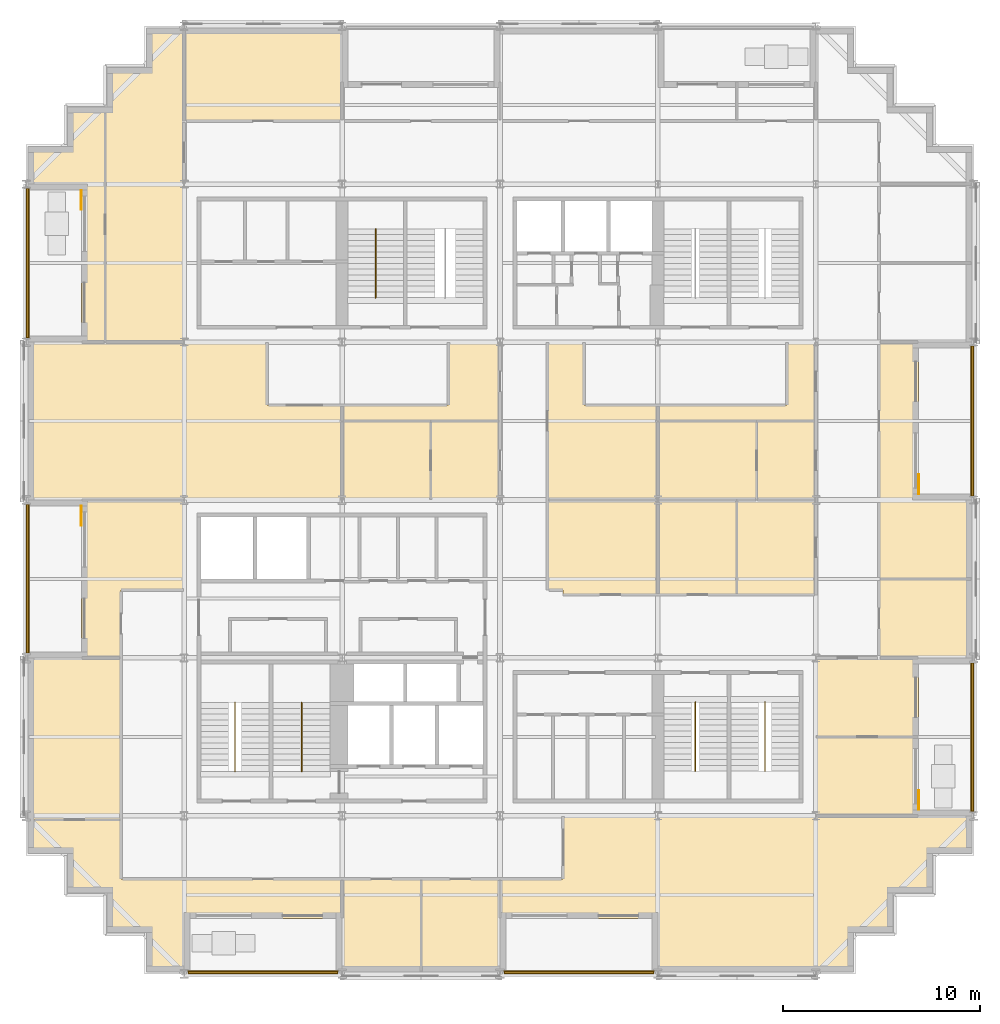
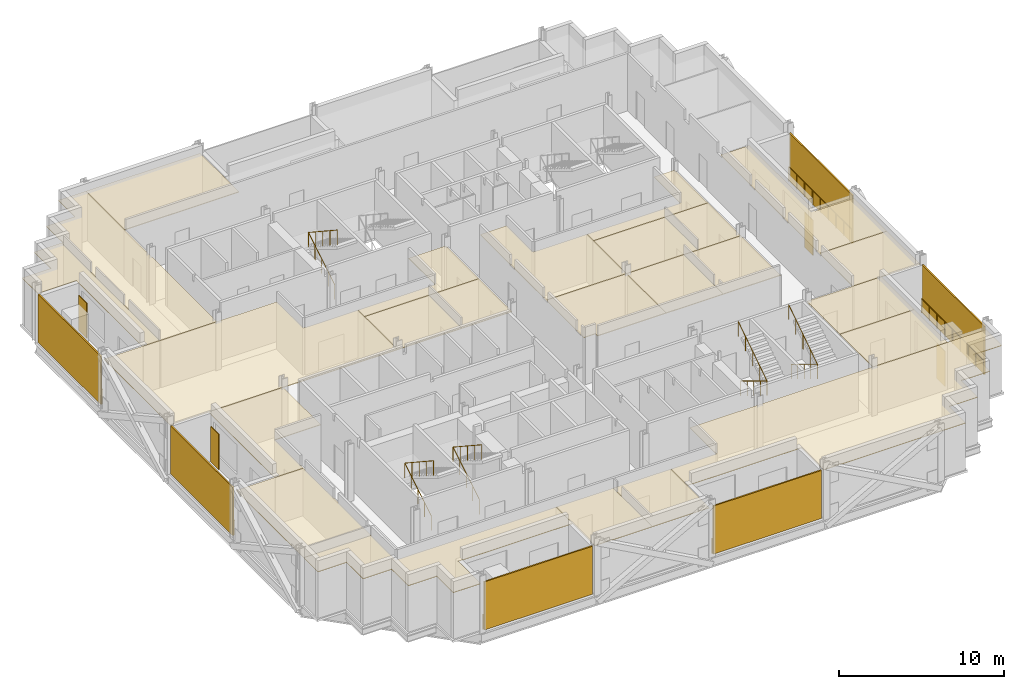
# One storey, part 13 of 15: 24 coverings, 11 railings, 10 shading devices.
"""IFC4 building model written with IfcOpenShell, lengths in metres."""

from ifc_helpers import new_model, si_unit, direction, frame, origin, origin_2d, place, context, subcontext, project, spatial, polyline, rectangle, circle, outline, extrude, material, layer, layer_set, type_object, element, save


model = new_model("IFC4")

# Units and contexts
model_context = context("Model", 3, precision=1e-05, world=origin(), true_north=direction((0.0, 1.0)))
body_context = subcontext(model_context, "Body", "Model", "MODEL_VIEW")
ifc_project = project(units=[si_unit("LENGTHUNIT", "METRE"), si_unit("AREAUNIT", "SQUARE_METRE"), si_unit("VOLUMEUNIT", "CUBIC_METRE"), si_unit("PLANEANGLEUNIT", "RADIAN"), si_unit("MASSUNIT", "GRAM", prefix="KILO")], contexts=[model_context])

# Site, building, storey
site_placement = place(None, origin())
site = spatial("IfcSite", under=ifc_project, at=site_placement, CompositionType="ELEMENT")
building_placement = place(site_placement, origin())
building = spatial("IfcBuilding", under=site, at=building_placement, Name="Immortelle Media Tower", CompositionType="ELEMENT")
storey_placement = place(building_placement, frame((0.0, 0.0, 87.60009765625)))
storey = spatial("IfcBuildingStorey", under=building, at=storey_placement, Name="L16", CompositionType="ELEMENT", Elevation=87.60009765625)

# Railings
ifc_material_1 = material(Name="Powder-coated aluminium fretwork panel, laminated glass backing", Category="aluminium")
railing_type_1 = type_object("IfcRailingType", Name="Fretwork balustrade 1100", PredefinedType="BALUSTRADE", material=ifc_material_1)
railing_1_placement = place(storey_placement, frame((0.139892578125, 39.800537109375, 0.0)))
element("IfcRailing", 1, at=railing_1_placement, inside=storey, type_object=railing_type_1, Name="Fretwork balustrade L16 W0", PredefinedType="BALUSTRADE", context=body_context, shape_type="SweptSolid", body=[
    extrude(circle(Radius=0.02490234375, at=origin_2d()), frame((0.0, 0.0, 1.0751953125), z_axis=(0.0, -1.0, 0.0), x_axis=(1.0, 0.0, 0.0)), (0.0, 0.0, 1.0), 7.58349609375),
    extrude(circle(Radius=0.02001953125, at=origin_2d()), origin(), (0.0, 0.0, 1.0), 1.050048828125),
    extrude(circle(Radius=0.02001953125, at=origin_2d()), frame((0.0, -0.947998046875, 0.0)), (0.0, 0.0, 1.0), 1.050048828125),
    extrude(circle(Radius=0.02001953125, at=origin_2d()), frame((0.0, -1.89599609375, 0.0)), (0.0, 0.0, 1.0), 1.050048828125),
    extrude(circle(Radius=0.02001953125, at=origin_2d()), frame((0.0, -2.84375, 0.0)), (0.0, 0.0, 1.0), 1.050048828125),
    extrude(circle(Radius=0.02001953125, at=origin_2d()), frame((0.0, -3.791748046875, 0.0)), (0.0, 0.0, 1.0), 1.050048828125),
    extrude(circle(Radius=0.02001953125, at=origin_2d()), frame((0.0, -4.73974609375, 0.0)), (0.0, 0.0, 1.0), 1.050048828125),
    extrude(circle(Radius=0.02001953125, at=origin_2d()), frame((0.0, -5.6875, 0.0)), (0.0, 0.0, 1.0), 1.050048828125),
    extrude(circle(Radius=0.02001953125, at=origin_2d()), frame((0.0, -6.635498046875, 0.0)), (0.0, 0.0, 1.0), 1.050048828125),
    extrude(circle(Radius=0.02001953125, at=origin_2d()), frame((0.0, -7.58349609375, 0.0)), (0.0, 0.0, 1.0), 1.050048828125),
])
railing_2_placement = place(storey_placement, frame((0.139892578125, 23.782958984375, 0.0)))
element("IfcRailing", 2, at=railing_2_placement, inside=storey, type_object=railing_type_1, Name="Fretwork balustrade L16 W2", PredefinedType="BALUSTRADE", context=body_context, shape_type="SweptSolid", body=[
    extrude(circle(Radius=0.02490234375, at=origin_2d()), frame((0.0, 0.0, 1.0751953125), z_axis=(0.0, -1.0, 0.0), x_axis=(1.0, 0.0, 0.0)), (0.0, 0.0, 1.0), 7.533935546875),
    extrude(circle(Radius=0.02001953125, at=origin_2d()), origin(), (0.0, 0.0, 1.0), 1.050048828125),
    extrude(circle(Radius=0.02001953125, at=origin_2d()), frame((0.0, -0.941650390625, 0.0)), (0.0, 0.0, 1.0), 1.050048828125),
    extrude(circle(Radius=0.02001953125, at=origin_2d()), frame((0.0, -1.883544921875, 0.0)), (0.0, 0.0, 1.0), 1.050048828125),
    extrude(circle(Radius=0.02001953125, at=origin_2d()), frame((0.0, -2.8251953125, 0.0)), (0.0, 0.0, 1.0), 1.050048828125),
    extrude(circle(Radius=0.02001953125, at=origin_2d()), frame((0.0, -3.76708984375, 0.0)), (0.0, 0.0, 1.0), 1.050048828125),
    extrude(circle(Radius=0.02001953125, at=origin_2d()), frame((0.0, -4.708740234375, 0.0)), (0.0, 0.0, 1.0), 1.050048828125),
    extrude(circle(Radius=0.02001953125, at=origin_2d()), frame((0.0, -5.650390625, 0.0)), (0.0, 0.0, 1.0), 1.050048828125),
    extrude(circle(Radius=0.02001953125, at=origin_2d()), frame((0.0, -6.59228515625, 0.0)), (0.0, 0.0, 1.0), 1.050048828125),
    extrude(circle(Radius=0.02001953125, at=origin_2d()), frame((0.0, -7.533935546875, 0.0)), (0.0, 0.0, 1.0), 1.050048828125),
])
railing_3_placement = place(storey_placement, frame((8.20947265625, 0.139892578125, 0.0)))
element("IfcRailing", 3, at=railing_3_placement, inside=storey, type_object=railing_type_1, Name="Fretwork balustrade L16 S0", PredefinedType="BALUSTRADE", context=body_context, shape_type="SweptSolid", body=[
    extrude(circle(Radius=0.02490234375, at=origin_2d()), frame((0.0, 0.0, 1.0751953125), z_axis=(1.0, 0.0, 0.0), x_axis=(0.0, 1.0, 0.0)), (0.0, 0.0, 1.0), 7.574462890625),
    extrude(circle(Radius=0.02001953125, at=origin_2d()), origin(), (0.0, 0.0, 1.0), 1.050048828125),
    extrude(circle(Radius=0.02001953125, at=origin_2d()), frame((0.94677734375, 0.0, 0.0)), (0.0, 0.0, 1.0), 1.050048828125),
    extrude(circle(Radius=0.02001953125, at=origin_2d()), frame((1.8935546875, 0.0, 0.0)), (0.0, 0.0, 1.0), 1.050048828125),
    extrude(circle(Radius=0.02001953125, at=origin_2d()), frame((2.84033203125, 0.0, 0.0)), (0.0, 0.0, 1.0), 1.050048828125),
    extrude(circle(Radius=0.02001953125, at=origin_2d()), frame((3.787109375, 0.0, 0.0)), (0.0, 0.0, 1.0), 1.050048828125),
    extrude(circle(Radius=0.02001953125, at=origin_2d()), frame((4.734130859375, 0.0, 0.0)), (0.0, 0.0, 1.0), 1.050048828125),
    extrude(circle(Radius=0.02001953125, at=origin_2d()), frame((5.680908203125, 0.0, 0.0)), (0.0, 0.0, 1.0), 1.050048828125),
    extrude(circle(Radius=0.02001953125, at=origin_2d()), frame((6.627685546875, 0.0, 0.0)), (0.0, 0.0, 1.0), 1.050048828125),
    extrude(circle(Radius=0.02001953125, at=origin_2d()), frame((7.574462890625, 0.0, 0.0)), (0.0, 0.0, 1.0), 1.050048828125),
])
railing_4_placement = place(storey_placement, frame((24.216064453125, 0.139892578125, 0.0)))
element("IfcRailing", 4, at=railing_4_placement, inside=storey, type_object=railing_type_1, Name="Fretwork balustrade L16 S2", PredefinedType="BALUSTRADE", context=body_context, shape_type="SweptSolid", body=[
    extrude(circle(Radius=0.02490234375, at=origin_2d()), frame((0.0, 0.0, 1.0751953125), z_axis=(1.0, 0.0, 0.0), x_axis=(0.0, 1.0, 0.0)), (0.0, 0.0, 1.0), 7.56787109375),
    extrude(circle(Radius=0.02001953125, at=origin_2d()), origin(), (0.0, 0.0, 1.0), 1.050048828125),
    extrude(circle(Radius=0.02001953125, at=origin_2d()), frame((0.946044921875, 0.0, 0.0)), (0.0, 0.0, 1.0), 1.050048828125),
    extrude(circle(Radius=0.02001953125, at=origin_2d()), frame((1.89208984375, 0.0, 0.0)), (0.0, 0.0, 1.0), 1.050048828125),
    extrude(circle(Radius=0.02001953125, at=origin_2d()), frame((2.837890625, 0.0, 0.0)), (0.0, 0.0, 1.0), 1.050048828125),
    extrude(circle(Radius=0.02001953125, at=origin_2d()), frame((3.783935546875, 0.0, 0.0)), (0.0, 0.0, 1.0), 1.050048828125),
    extrude(circle(Radius=0.02001953125, at=origin_2d()), frame((4.72998046875, 0.0, 0.0)), (0.0, 0.0, 1.0), 1.050048828125),
    extrude(circle(Radius=0.02001953125, at=origin_2d()), frame((5.67578125, 0.0, 0.0)), (0.0, 0.0, 1.0), 1.050048828125),
    extrude(circle(Radius=0.02001953125, at=origin_2d()), frame((6.621826171875, 0.0, 0.0)), (0.0, 0.0, 1.0), 1.050048828125),
    extrude(circle(Radius=0.02001953125, at=origin_2d()), frame((7.56787109375, 0.0, 0.0)), (0.0, 0.0, 1.0), 1.050048828125),
])
railing_5_placement = place(storey_placement, frame((47.860107421875, 8.2275390625, 0.0)))
element("IfcRailing", 5, at=railing_5_placement, inside=storey, type_object=railing_type_1, Name="Fretwork balustrade L16 E0", PredefinedType="BALUSTRADE", context=body_context, shape_type="SweptSolid", body=[
    extrude(circle(Radius=0.02490234375, at=origin_2d()), frame((0.0, 0.0, 1.0751953125), z_axis=(0.0, 1.0, 0.0), x_axis=(-1.0, 0.0, 0.0)), (0.0, 0.0, 1.0), 7.5234375),
    extrude(circle(Radius=0.02001953125, at=origin_2d()), origin(), (0.0, 0.0, 1.0), 1.050048828125),
    extrude(circle(Radius=0.02001953125, at=origin_2d()), frame((0.0, 0.9404296875, 0.0)), (0.0, 0.0, 1.0), 1.050048828125),
    extrude(circle(Radius=0.02001953125, at=origin_2d()), frame((0.0, 1.880859375, 0.0)), (0.0, 0.0, 1.0), 1.050048828125),
    extrude(circle(Radius=0.02001953125, at=origin_2d()), frame((0.0, 2.8212890625, 0.0)), (0.0, 0.0, 1.0), 1.050048828125),
    extrude(circle(Radius=0.02001953125, at=origin_2d()), frame((0.0, 3.76171875, 0.0)), (0.0, 0.0, 1.0), 1.050048828125),
    extrude(circle(Radius=0.02001953125, at=origin_2d()), frame((0.0, 4.7021484375, 0.0)), (0.0, 0.0, 1.0), 1.050048828125),
    extrude(circle(Radius=0.02001953125, at=origin_2d()), frame((0.0, 5.642578125, 0.0)), (0.0, 0.0, 1.0), 1.050048828125),
    extrude(circle(Radius=0.02001953125, at=origin_2d()), frame((0.0, 6.5830078125, 0.0)), (0.0, 0.0, 1.0), 1.050048828125),
    extrude(circle(Radius=0.02001953125, at=origin_2d()), frame((0.0, 7.5234375, 0.0)), (0.0, 0.0, 1.0), 1.050048828125),
])
railing_6_placement = place(storey_placement, frame((47.860107421875, 24.193115234375, 0.0)))
element("IfcRailing", 6, at=railing_6_placement, inside=storey, type_object=railing_type_1, Name="Fretwork balustrade L16 E2", PredefinedType="BALUSTRADE", context=body_context, shape_type="SweptSolid", body=[
    extrude(circle(Radius=0.02490234375, at=origin_2d()), frame((0.0, 0.0, 1.0751953125), z_axis=(0.0, 1.0, 0.0), x_axis=(-1.0, 0.0, 0.0)), (0.0, 0.0, 1.0), 7.61376953125),
    extrude(circle(Radius=0.02001953125, at=origin_2d()), origin(), (0.0, 0.0, 1.0), 1.050048828125),
    extrude(circle(Radius=0.02001953125, at=origin_2d()), frame((0.0, 0.95166015625, 0.0)), (0.0, 0.0, 1.0), 1.050048828125),
    extrude(circle(Radius=0.02001953125, at=origin_2d()), frame((0.0, 1.9033203125, 0.0)), (0.0, 0.0, 1.0), 1.050048828125),
    extrude(circle(Radius=0.02001953125, at=origin_2d()), frame((0.0, 2.855224609375, 0.0)), (0.0, 0.0, 1.0), 1.050048828125),
    extrude(circle(Radius=0.02001953125, at=origin_2d()), frame((0.0, 3.806884765625, 0.0)), (0.0, 0.0, 1.0), 1.050048828125),
    extrude(circle(Radius=0.02001953125, at=origin_2d()), frame((0.0, 4.758544921875, 0.0)), (0.0, 0.0, 1.0), 1.050048828125),
    extrude(circle(Radius=0.02001953125, at=origin_2d()), frame((0.0, 5.71044921875, 0.0)), (0.0, 0.0, 1.0), 1.050048828125),
    extrude(circle(Radius=0.02001953125, at=origin_2d()), frame((0.0, 6.662109375, 0.0)), (0.0, 0.0, 1.0), 1.050048828125),
    extrude(circle(Radius=0.02001953125, at=origin_2d()), frame((0.0, 7.61376953125, 0.0)), (0.0, 0.0, 1.0), 1.050048828125),
])

# Shading devices
ifc_material_2 = material(Name="Pale aluminium louvre blades", Category="aluminium")
ifc_layer_1 = layer(ifc_material_2, 0.10009765625)
ifc_layer_set_1 = layer_set([ifc_layer_1], Name="Pale aluminium louvre blades")
shading_device_type_1 = type_object("IfcShadingDeviceType", Name="Jalousie screen 100", PredefinedType="JALOUSIE", material=ifc_layer_set_1)
shading_device_1_placement = place(storey_placement, frame((0.050048828125, 36.0087890625, 0.0), z_axis=(0.0, 0.0, 1.0), x_axis=(0.0, -1.0, 0.0)))
element("IfcShadingDevice", 7, at=shading_device_1_placement, inside=storey, type_object=shading_device_type_1, Name="Jalousie screen L16 W0", PredefinedType="JALOUSIE", context=body_context, shape_type="SweptSolid", body=[
    extrude(rectangle(XDim=7.58349609375, YDim=0.10009765625, at=origin_2d()), origin(), (0.0, 0.0, 1.0), 3.556884765625),
])
shading_device_2_placement = place(storey_placement, frame((0.050048828125, 20.01611328125, 0.0), z_axis=(0.0, 0.0, 1.0), x_axis=(0.0, -1.0, 0.0)))
element("IfcShadingDevice", 8, at=shading_device_2_placement, inside=storey, type_object=shading_device_type_1, Name="Jalousie screen L16 W2", PredefinedType="JALOUSIE", context=body_context, shape_type="SweptSolid", body=[
    extrude(rectangle(XDim=7.533935546875, YDim=0.10009765625, at=origin_2d()), origin(), (0.0, 0.0, 1.0), 3.556884765625),
])
shading_device_3_placement = place(storey_placement, frame((11.996826171875, 0.050048828125, 0.0), z_axis=(0.0, 0.0, 1.0), x_axis=(1.0, 0.0, 0.0)))
element("IfcShadingDevice", 9, at=shading_device_3_placement, inside=storey, type_object=shading_device_type_1, Name="Jalousie screen L16 S0", PredefinedType="JALOUSIE", context=body_context, shape_type="SweptSolid", body=[
    extrude(rectangle(XDim=7.574462890625, YDim=0.10009765625, at=origin_2d()), origin(), (0.0, 0.0, 1.0), 3.556884765625),
])
shading_device_4_placement = place(storey_placement, frame((28.0, 0.050048828125, 0.0), z_axis=(0.0, 0.0, 1.0), x_axis=(1.0, 0.0, 0.0)))
element("IfcShadingDevice", 10, at=shading_device_4_placement, inside=storey, type_object=shading_device_type_1, Name="Jalousie screen L16 S2", PredefinedType="JALOUSIE", context=body_context, shape_type="SweptSolid", body=[
    extrude(rectangle(XDim=7.568115234375, YDim=0.10009765625, at=origin_2d()), origin(), (0.0, 0.0, 1.0), 3.556884765625),
])
shading_device_5_placement = place(storey_placement, frame((47.949951171875, 11.9892578125, 0.0), z_axis=(0.0, 0.0, 1.0), x_axis=(0.0, 1.0, 0.0)))
element("IfcShadingDevice", 11, at=shading_device_5_placement, inside=storey, type_object=shading_device_type_1, Name="Jalousie screen L16 E0", PredefinedType="JALOUSIE", context=body_context, shape_type="SweptSolid", body=[
    extrude(rectangle(XDim=7.5234375, YDim=0.10009765625, at=origin_2d()), origin(), (0.0, 0.0, 1.0), 3.556884765625),
])
shading_device_6_placement = place(storey_placement, frame((47.949951171875, 28.0, 0.0), z_axis=(0.0, 0.0, 1.0), x_axis=(0.0, 1.0, 0.0)))
element("IfcShadingDevice", 12, at=shading_device_6_placement, inside=storey, type_object=shading_device_type_1, Name="Jalousie screen L16 E2", PredefinedType="JALOUSIE", context=body_context, shape_type="SweptSolid", body=[
    extrude(rectangle(XDim=7.614013671875, YDim=0.10009765625, at=origin_2d()), origin(), (0.0, 0.0, 1.0), 3.556884765625),
])
ifc_material_3 = material(Name="Pale aluminium louvre blades in a folding frame", Category="aluminium")
ifc_layer_2 = layer(ifc_material_3, 0.050048828125)
ifc_layer_set_2 = layer_set([ifc_layer_2], Name="Pale aluminium louvre blades in a folding frame")
shading_device_type_2 = type_object("IfcShadingDeviceType", Name="Louvred loggia shutter", PredefinedType="SHUTTER", material=ifc_layer_set_2)
for number, where, z_axis, x_axis, name in (
    (13, (2.77490234375, 39.199951171875, -0.000244140625), (0.0, 0.0, 1.0), (0.0, -1.0, 0.0), "Loggia shutter L16 W0"),
    (14, (2.77490234375, 23.199951171875, -0.000244140625), (0.0, 0.0, 1.0), (0.0, -1.0, 0.0), "Loggia shutter L16 W2"),
    (15, (45.22509765625, 8.800048828125, -0.000244140625), (0.0, 0.0, 1.0), (0.0, 1.0, 0.0), "Loggia shutter L16 E0"),
    (16, (45.22509765625, 24.800048828125, -0.000244140625), (0.0, 0.0, 1.0), (0.0, 1.0, 0.0), "Loggia shutter L16 E2"),
):
    element("IfcShadingDevice", number, at=place(storey_placement, frame(where, z_axis=z_axis, x_axis=x_axis)), inside=storey, type_object=shading_device_type_2, Name=name, PredefinedType="SHUTTER", context=body_context, shape_type="SweptSolid", body=[
        extrude(rectangle(XDim=1.0, YDim=0.050048828125, at=origin_2d()), origin(), (0.0, 0.0, 1.0), 2.60009765625),
    ])

# Railings
ifc_material_4 = material(Name="Stainless steel AISI 316", Category="steel")
railing_type_2 = type_object("IfcRailingType", Name="Stair guard 1100", PredefinedType="GUARDRAIL", material=ifc_material_4)
for number, where, name in (
    (17, (10.574951171875, 10.5400390625, 0.17578125), "Stair guard SW1"),
    (18, (13.949951171875, 10.5400390625, 0.17578125), "Stair guard SW2"),
):
    element("IfcRailing", number, at=place(storey_placement, frame(where)), inside=storey, type_object=railing_type_2, Name=name, PredefinedType="GUARDRAIL", context=body_context, shape_type="SweptSolid", body=[
        extrude(circle(Radius=0.02392578125, at=origin_2d()), frame((0.0, 0.0, 1.076171875), z_axis=(0.0, 0.854872504309, 0.518838126371), x_axis=(-1.0, 0.0, 0.0)), (0.0, 0.0, 1.0), 3.7314453125),
        extrude(circle(Radius=0.02392578125, at=origin_2d()), frame((0.0, 3.18994140625, 3.01220703125), z_axis=(0.0, -0.835568629342, 0.549386080693), x_axis=(1.0, 0.0, 0.0)), (0.0, 0.0, 1.0), 4.164794921875),
        extrude(circle(Radius=0.02099609375, at=origin_2d()), origin(), (0.0, 0.0, 1.0), 1.052001953125),
        extrude(circle(Radius=0.02099609375, at=origin_2d()), frame((0.0, 0.79736328125, 0.48388671875)), (0.0, 0.0, 1.0), 1.052001953125),
        extrude(circle(Radius=0.02099609375, at=origin_2d()), frame((0.0, 1.594970703125, 0.968017578125)), (0.0, 0.0, 1.0), 1.052001953125),
        extrude(circle(Radius=0.02099609375, at=origin_2d()), frame((0.0, 2.392578125, 1.4521484375)), (0.0, 0.0, 1.0), 1.052001953125),
        extrude(circle(Radius=0.02099609375, at=origin_2d()), frame((0.0, 3.18994140625, 1.93603515625)), (0.0, 0.0, 1.0), 1.052001953125),
        extrude(circle(Radius=0.02099609375, at=origin_2d()), frame((0.0, 2.31982421875, 2.508056640625)), (0.0, 0.0, 1.0), 1.052001953125),
        extrude(circle(Radius=0.02099609375, at=origin_2d()), frame((0.0, 1.449951171875, 3.080078125)), (0.0, 0.0, 1.0), 1.052001953125),
        extrude(circle(Radius=0.02099609375, at=origin_2d()), frame((0.0, 0.580078125, 3.652099609375)), (0.0, 0.0, 1.0), 1.052001953125),
        extrude(circle(Radius=0.02099609375, at=origin_2d()), frame((0.0, -0.2900390625, 4.22412109375)), (0.0, 0.0, 1.0), 1.052001953125),
    ])
for number, where, name in (
    (19, (33.89990234375, 13.4599609375, 0.17578125), "Stair guard SE1"),
    (20, (37.425048828125, 13.4599609375, 0.17578125), "Stair guard SE2"),
):
    element("IfcRailing", number, at=place(storey_placement, frame(where)), inside=storey, type_object=railing_type_2, Name=name, PredefinedType="GUARDRAIL", context=body_context, shape_type="SweptSolid", body=[
        extrude(circle(Radius=0.02392578125, at=origin_2d()), frame((0.0, 0.0, 1.076171875), z_axis=(0.0, -0.854872504309, 0.518838126371), x_axis=(1.0, 0.0, 0.0)), (0.0, 0.0, 1.0), 3.7314453125),
        extrude(circle(Radius=0.02392578125, at=origin_2d()), frame((0.0, -3.18994140625, 3.01220703125), z_axis=(0.0, 0.835568629342, 0.549386080693), x_axis=(-1.0, 0.0, 0.0)), (0.0, 0.0, 1.0), 4.164794921875),
        extrude(circle(Radius=0.02099609375, at=origin_2d()), origin(), (0.0, 0.0, 1.0), 1.052001953125),
        extrude(circle(Radius=0.02099609375, at=origin_2d()), frame((0.0, -0.79736328125, 0.48388671875)), (0.0, 0.0, 1.0), 1.052001953125),
        extrude(circle(Radius=0.02099609375, at=origin_2d()), frame((0.0, -1.594970703125, 0.968017578125)), (0.0, 0.0, 1.0), 1.052001953125),
        extrude(circle(Radius=0.02099609375, at=origin_2d()), frame((0.0, -2.392578125, 1.4521484375)), (0.0, 0.0, 1.0), 1.052001953125),
        extrude(circle(Radius=0.02099609375, at=origin_2d()), frame((0.0, -3.18994140625, 1.93603515625)), (0.0, 0.0, 1.0), 1.052001953125),
        extrude(circle(Radius=0.02099609375, at=origin_2d()), frame((0.0, -2.31982421875, 2.508056640625)), (0.0, 0.0, 1.0), 1.052001953125),
        extrude(circle(Radius=0.02099609375, at=origin_2d()), frame((0.0, -1.449951171875, 3.080078125)), (0.0, 0.0, 1.0), 1.052001953125),
        extrude(circle(Radius=0.02099609375, at=origin_2d()), frame((0.0, -0.580078125, 3.652099609375)), (0.0, 0.0, 1.0), 1.052001953125),
        extrude(circle(Radius=0.02099609375, at=origin_2d()), frame((0.0, 0.2900390625, 4.22412109375)), (0.0, 0.0, 1.0), 1.052001953125),
    ])
railing_7_placement = place(storey_placement, frame((17.699951171875, 34.5400390625, 0.17578125)))
element("IfcRailing", 21, at=railing_7_placement, inside=storey, type_object=railing_type_2, Name="Stair guard NW1", PredefinedType="GUARDRAIL", context=body_context, shape_type="SweptSolid", body=[
    extrude(circle(Radius=0.02392578125, at=origin_2d()), frame((0.0, 0.0, 1.076171875), z_axis=(0.0, 0.854872504309, 0.518838126371), x_axis=(-1.0, 0.0, 0.0)), (0.0, 0.0, 1.0), 3.7314453125),
    extrude(circle(Radius=0.02392578125, at=origin_2d()), frame((0.0, 3.18994140625, 3.01220703125), z_axis=(0.0, -0.835568629342, 0.549386080693), x_axis=(1.0, 0.0, 0.0)), (0.0, 0.0, 1.0), 4.164794921875),
    extrude(circle(Radius=0.02099609375, at=origin_2d()), origin(), (0.0, 0.0, 1.0), 1.052001953125),
    extrude(circle(Radius=0.02099609375, at=origin_2d()), frame((0.0, 0.79736328125, 0.48388671875)), (0.0, 0.0, 1.0), 1.052001953125),
    extrude(circle(Radius=0.02099609375, at=origin_2d()), frame((0.0, 1.594970703125, 0.968017578125)), (0.0, 0.0, 1.0), 1.052001953125),
    extrude(circle(Radius=0.02099609375, at=origin_2d()), frame((0.0, 2.392578125, 1.4521484375)), (0.0, 0.0, 1.0), 1.052001953125),
    extrude(circle(Radius=0.02099609375, at=origin_2d()), frame((0.0, 3.18994140625, 1.93603515625)), (0.0, 0.0, 1.0), 1.052001953125),
    extrude(circle(Radius=0.02099609375, at=origin_2d()), frame((0.0, 2.31982421875, 2.508056640625)), (0.0, 0.0, 1.0), 1.052001953125),
    extrude(circle(Radius=0.02099609375, at=origin_2d()), frame((0.0, 1.449951171875, 3.080078125)), (0.0, 0.0, 1.0), 1.052001953125),
    extrude(circle(Radius=0.02099609375, at=origin_2d()), frame((0.0, 0.580078125, 3.652099609375)), (0.0, 0.0, 1.0), 1.052001953125),
    extrude(circle(Radius=0.02099609375, at=origin_2d()), frame((0.0, -0.2900390625, 4.22412109375)), (0.0, 0.0, 1.0), 1.052001953125),
])

# Coverings
ifc_material_5 = material(Name="Mineral fibre tile ceiling")
ifc_layer_3 = layer(ifc_material_5, 0.050048828125)
ifc_layer_set_3 = layer_set([ifc_layer_3], Name="Mineral fibre tile ceiling")
covering_type = type_object("IfcCoveringType", Name="Suspended ceiling 50", PredefinedType="CEILING", material=ifc_layer_set_3)
covering_1_placement = place(storey_placement, frame((0.0, 0.0, 3.419921875)))
element("IfcCovering", 22, at=covering_1_placement, inside=storey, type_object=covering_type, Name="Ceiling L16-001", PredefinedType="CEILING", context=body_context, shape_type="SweptSolid", body=[
    extrude(outline(polyline([(16.0, 2.800048828125), (16.0, 4.800048828125), (20.0, 4.800048828125), (20.0, 0.10009765625), (16.0, 0.10009765625), (16.0, 2.800048828125)])), origin(), (0.0, 0.0, 1.0), 0.050048828125),
])
covering_2_placement = place(storey_placement, frame((0.0, 0.0, 3.419921875)))
element("IfcCovering", 23, at=covering_2_placement, inside=storey, type_object=covering_type, Name="Ceiling L16-002", PredefinedType="CEILING", context=body_context, shape_type="SweptSolid", body=[
    extrude(outline(polyline([(24.0, 4.800048828125), (24.0, 2.800048828125), (24.0, 0.10009765625), (20.0, 0.10009765625), (20.0, 4.800048828125), (24.0, 4.800048828125)])), origin(), (0.0, 0.0, 1.0), 0.050048828125),
])
covering_3_placement = place(storey_placement, frame((0.0, 0.0, 3.419921875)))
element("IfcCovering", 24, at=covering_3_placement, inside=storey, type_object=covering_type, Name="Ceiling L16-003", PredefinedType="CEILING", context=body_context, shape_type="SweptSolid", body=[
    extrude(outline(polyline([(24.0, 2.800048828125), (24.0, 4.800048828125), (27.199951171875, 4.800048828125), (27.199951171875, 8.0), (32.0, 8.0), (40.0, 8.0), (45.199951171875, 8.0), (47.89990234375, 8.0), (47.89990234375, 6.10009765625), (45.89990234375, 6.10009765625), (45.89990234375, 4.10009765625), (43.89990234375, 4.10009765625), (43.89990234375, 2.10009765625), (41.89990234375, 2.10009765625), (41.89990234375, 0.10009765625), (40.0, 0.10009765625), (32.0, 0.10009765625), (32.0, 2.800048828125), (24.0, 2.800048828125)])), origin(), (0.0, 0.0, 1.0), 0.050048828125),
])
covering_4_placement = place(storey_placement, frame((0.0, 0.0, 3.419921875)))
element("IfcCovering", 25, at=covering_4_placement, inside=storey, type_object=covering_type, Name="Ceiling L16-004", PredefinedType="CEILING", context=body_context, shape_type="SweptSolid", body=[
    extrude(outline(polyline([(8.0, 2.800048828125), (8.0, 0.10009765625), (6.10009765625, 0.10009765625), (6.10009765625, 2.10009765625), (4.10009765625, 2.10009765625), (4.10009765625, 4.10009765625), (2.10009765625, 4.10009765625), (2.10009765625, 6.10009765625), (0.10009765625, 6.10009765625), (0.10009765625, 7.800048828125), (4.800048828125, 7.800048828125), (4.800048828125, 4.800048828125), (8.0, 4.800048828125), (16.0, 4.800048828125), (16.0, 2.800048828125), (8.0, 2.800048828125)])), origin(), (0.0, 0.0, 1.0), 0.050048828125),
])
covering_5_placement = place(storey_placement, frame((0.0, 0.0, 3.419921875)))
element("IfcCovering", 26, at=covering_5_placement, inside=storey, type_object=covering_type, Name="Ceiling L16-005", PredefinedType="CEILING", context=body_context, shape_type="SweptSolid", body=[
    extrude(outline(polyline([(0.10009765625, 8.0), (0.10009765625, 16.0), (2.800048828125, 16.0), (4.800048828125, 16.0), (4.800048828125, 8.0), (4.800048828125, 7.800048828125), (0.10009765625, 7.800048828125), (0.10009765625, 8.0)])), origin(), (0.0, 0.0, 1.0), 0.050048828125),
])
covering_6_placement = place(storey_placement, frame((0.0, 0.0, 3.419921875)))
element("IfcCovering", 27, at=covering_6_placement, inside=storey, type_object=covering_type, Name="Ceiling L16-006", PredefinedType="CEILING", context=body_context, shape_type="SweptSolid", body=[
    extrude(outline(polyline([(40.0, 16.0), (43.199951171875, 16.0), (45.199951171875, 16.0), (45.199951171875, 12.0), (40.0, 12.0), (40.0, 16.0)])), origin(), (0.0, 0.0, 1.0), 0.050048828125),
])
covering_7_placement = place(storey_placement, frame((0.0, 0.0, 3.419921875)))
element("IfcCovering", 28, at=covering_7_placement, inside=storey, type_object=covering_type, Name="Ceiling L16-007", PredefinedType="CEILING", context=body_context, shape_type="SweptSolid", body=[
    extrude(outline(polyline([(40.0, 8.0), (40.0, 12.0), (45.199951171875, 12.0), (45.199951171875, 8.0), (40.0, 8.0)])), origin(), (0.0, 0.0, 1.0), 0.050048828125),
])
covering_8_placement = place(storey_placement, frame((0.0, 0.0, 3.419921875)))
element("IfcCovering", 29, at=covering_8_placement, inside=storey, type_object=covering_type, Name="Ceiling L16-008", PredefinedType="CEILING", context=body_context, shape_type="SweptSolid", body=[
    extrude(outline(polyline([(2.800048828125, 16.0), (2.800048828125, 20.0), (2.800048828125, 24.0), (8.0, 24.0), (8.0, 20.0), (8.0, 19.449951171875), (4.800048828125, 19.449951171875), (4.800048828125, 16.0), (2.800048828125, 16.0)])), origin(), (0.0, 0.0, 1.0), 0.050048828125),
])
covering_9_placement = place(storey_placement, frame((0.0, 0.0, 3.419921875)))
element("IfcCovering", 30, at=covering_9_placement, inside=storey, type_object=covering_type, Name="Ceiling L16-009", PredefinedType="CEILING", context=body_context, shape_type="SweptSolid", body=[
    extrude(outline(polyline([(32.0, 19.199951171875), (27.199951171875, 19.199951171875), (27.199951171875, 19.449951171875), (26.39990234375, 19.449951171875), (26.39990234375, 24.0), (32.0, 24.0), (32.0, 19.199951171875)])), origin(), (0.0, 0.0, 1.0), 0.050048828125),
])
covering_10_placement = place(storey_placement, frame((0.0, 0.0, 3.419921875)))
element("IfcCovering", 31, at=covering_10_placement, inside=storey, type_object=covering_type, Name="Ceiling L16-010", PredefinedType="CEILING", context=body_context, shape_type="SweptSolid", body=[
    extrude(outline(polyline([(32.0, 19.199951171875), (32.0, 24.0), (36.0, 24.0), (36.0, 19.199951171875), (32.0, 19.199951171875)])), origin(), (0.0, 0.0, 1.0), 0.050048828125),
])
covering_11_placement = place(storey_placement, frame((0.0, 0.0, 3.419921875)))
element("IfcCovering", 32, at=covering_11_placement, inside=storey, type_object=covering_type, Name="Ceiling L16-011", PredefinedType="CEILING", context=body_context, shape_type="SweptSolid", body=[
    extrude(outline(polyline([(36.0, 19.199951171875), (36.0, 24.0), (40.0, 24.0), (40.0, 19.199951171875), (38.550048828125, 19.199951171875), (36.0, 19.199951171875)])), origin(), (0.0, 0.0, 1.0), 0.050048828125),
])
covering_12_placement = place(storey_placement, frame((0.0, 0.0, 3.419921875)))
element("IfcCovering", 33, at=covering_12_placement, inside=storey, type_object=covering_type, Name="Ceiling L16-012", PredefinedType="CEILING", context=body_context, shape_type="SweptSolid", body=[
    extrude(outline(polyline([(43.199951171875, 20.0), (47.89990234375, 20.0), (47.89990234375, 16.0), (45.199951171875, 16.0), (43.199951171875, 16.0), (43.199951171875, 20.0)])), origin(), (0.0, 0.0, 1.0), 0.050048828125),
])
covering_13_placement = place(storey_placement, frame((0.0, 0.0, 3.419921875)))
element("IfcCovering", 34, at=covering_13_placement, inside=storey, type_object=covering_type, Name="Ceiling L16-013", PredefinedType="CEILING", context=body_context, shape_type="SweptSolid", body=[
    extrude(outline(polyline([(43.199951171875, 24.0), (43.199951171875, 32.0), (45.199951171875, 32.0), (45.199951171875, 24.0), (47.89990234375, 24.0), (47.89990234375, 20.0), (43.199951171875, 20.0), (43.199951171875, 24.0)])), origin(), (0.0, 0.0, 1.0), 0.050048828125),
])
covering_14_placement = place(storey_placement, frame((0.0, 0.0, 3.419921875)))
element("IfcCovering", 35, at=covering_14_placement, inside=storey, type_object=covering_type, Name="Ceiling L16-014", PredefinedType="CEILING", context=body_context, shape_type="SweptSolid", body=[
    extrude(outline(polyline([(40.0, 28.0), (40.0, 24.0), (37.0, 24.0), (37.0, 28.0), (40.0, 28.0)])), origin(), (0.0, 0.0, 1.0), 0.050048828125),
])
covering_15_placement = place(storey_placement, frame((0.0, 0.0, 3.419921875)))
element("IfcCovering", 36, at=covering_15_placement, inside=storey, type_object=covering_type, Name="Ceiling L16-015", PredefinedType="CEILING", context=body_context, shape_type="SweptSolid", body=[
    extrude(outline(polyline([(37.0, 28.0), (37.0, 24.0), (32.0, 24.0), (32.0, 28.0), (37.0, 28.0)])), origin(), (0.0, 0.0, 1.0), 0.050048828125),
])
covering_16_placement = place(storey_placement, frame((0.0, 0.0, 3.419921875)))
element("IfcCovering", 37, at=covering_16_placement, inside=storey, type_object=covering_type, Name="Ceiling L16-016", PredefinedType="CEILING", context=body_context, shape_type="SweptSolid", body=[
    extrude(outline(polyline([(32.0, 28.800048828125), (38.550048828125, 28.800048828125), (38.550048828125, 32.0), (40.0, 32.0), (40.0, 28.0), (32.0, 28.0), (32.0, 28.800048828125)])), origin(), (0.0, 0.0, 1.0), 0.050048828125),
])
covering_17_placement = place(storey_placement, frame((0.0, 0.0, 3.419921875)))
element("IfcCovering", 38, at=covering_17_placement, inside=storey, type_object=covering_type, Name="Ceiling L16-017", PredefinedType="CEILING", context=body_context, shape_type="SweptSolid", body=[
    extrude(outline(polyline([(24.0, 28.0), (24.0, 24.0), (20.5, 24.0), (20.5, 28.0), (24.0, 28.0)])), origin(), (0.0, 0.0, 1.0), 0.050048828125),
])
covering_18_placement = place(storey_placement, frame((0.0, 0.0, 3.419921875)))
element("IfcCovering", 39, at=covering_18_placement, inside=storey, type_object=covering_type, Name="Ceiling L16-018", PredefinedType="CEILING", context=body_context, shape_type="SweptSolid", body=[
    extrude(outline(polyline([(20.5, 28.0), (20.5, 24.0), (16.0, 24.0), (16.0, 28.0), (20.5, 28.0)])), origin(), (0.0, 0.0, 1.0), 0.050048828125),
])
covering_19_placement = place(storey_placement, frame((0.0, 0.0, 3.419921875)))
element("IfcCovering", 40, at=covering_19_placement, inside=storey, type_object=covering_type, Name="Ceiling L16-019", PredefinedType="CEILING", context=body_context, shape_type="SweptSolid", body=[
    extrude(outline(polyline([(16.0, 28.800048828125), (21.39990234375, 28.800048828125), (21.39990234375, 32.0), (24.0, 32.0), (24.0, 28.0), (16.0, 28.0), (16.0, 28.800048828125)])), origin(), (0.0, 0.0, 1.0), 0.050048828125),
])
covering_20_placement = place(storey_placement, frame((0.0, 0.0, 3.419921875)))
element("IfcCovering", 41, at=covering_20_placement, inside=storey, type_object=covering_type, Name="Ceiling L16-020", PredefinedType="CEILING", context=body_context, shape_type="SweptSolid", body=[
    extrude(outline(polyline([(26.39990234375, 24.0), (26.39990234375, 32.0), (28.25, 32.0), (28.25, 28.800048828125), (32.0, 28.800048828125), (32.0, 24.0), (26.39990234375, 24.0)])), origin(), (0.0, 0.0, 1.0), 0.050048828125),
])
covering_21_placement = place(storey_placement, frame((0.0, 0.0, 3.419921875)))
element("IfcCovering", 42, at=covering_21_placement, inside=storey, type_object=covering_type, Name="Ceiling L16-021", PredefinedType="CEILING", context=body_context, shape_type="SweptSolid", body=[
    extrude(outline(polyline([(0.10009765625, 24.0), (0.10009765625, 32.0), (2.800048828125, 32.0), (8.0, 32.0), (12.199951171875, 32.0), (12.199951171875, 28.800048828125), (16.0, 28.800048828125), (16.0, 24.0), (8.0, 24.0), (2.800048828125, 24.0), (0.10009765625, 24.0)])), origin(), (0.0, 0.0, 1.0), 0.050048828125),
])
covering_22_placement = place(storey_placement, frame((0.0, 0.0, 3.419921875)))
element("IfcCovering", 43, at=covering_22_placement, inside=storey, type_object=covering_type, Name="Ceiling L16-024", PredefinedType="CEILING", context=body_context, shape_type="SweptSolid", body=[
    extrude(outline(polyline([(4.10009765625, 43.89990234375), (4.10009765625, 45.89990234375), (6.10009765625, 45.89990234375), (6.10009765625, 47.89990234375), (8.0, 47.89990234375), (8.0, 43.199951171875), (8.0, 40.0), (8.0, 32.0), (4.0, 32.0), (4.0, 43.89990234375), (4.10009765625, 43.89990234375)])), origin(), (0.0, 0.0, 1.0), 0.050048828125),
])
covering_23_placement = place(storey_placement, frame((0.0, 0.0, 3.419921875)))
element("IfcCovering", 44, at=covering_23_placement, inside=storey, type_object=covering_type, Name="Ceiling L16-025", PredefinedType="CEILING", context=body_context, shape_type="SweptSolid", body=[
    extrude(outline(polyline([(2.800048828125, 40.0), (0.10009765625, 40.0), (0.10009765625, 41.89990234375), (2.10009765625, 41.89990234375), (2.10009765625, 43.89990234375), (4.0, 43.89990234375), (4.0, 32.0), (2.800048828125, 32.0), (2.800048828125, 40.0)])), origin(), (0.0, 0.0, 1.0), 0.050048828125),
])
covering_24_placement = place(storey_placement, frame((0.0, 0.0, 3.419921875)))
element("IfcCovering", 45, at=covering_24_placement, inside=storey, type_object=covering_type, Name="Ceiling L16-027", PredefinedType="CEILING", context=body_context, shape_type="SweptSolid", body=[
    extrude(outline(polyline([(8.0, 43.199951171875), (8.0, 47.89990234375), (16.0, 47.89990234375), (16.0, 45.199951171875), (16.0, 43.199951171875), (8.0, 43.199951171875)])), origin(), (0.0, 0.0, 1.0), 0.050048828125),
])

save(model, "model.ifc")
